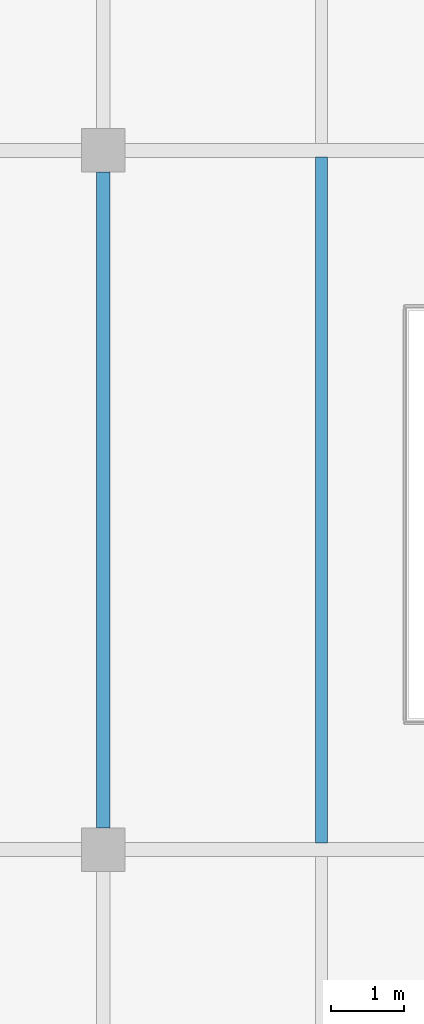
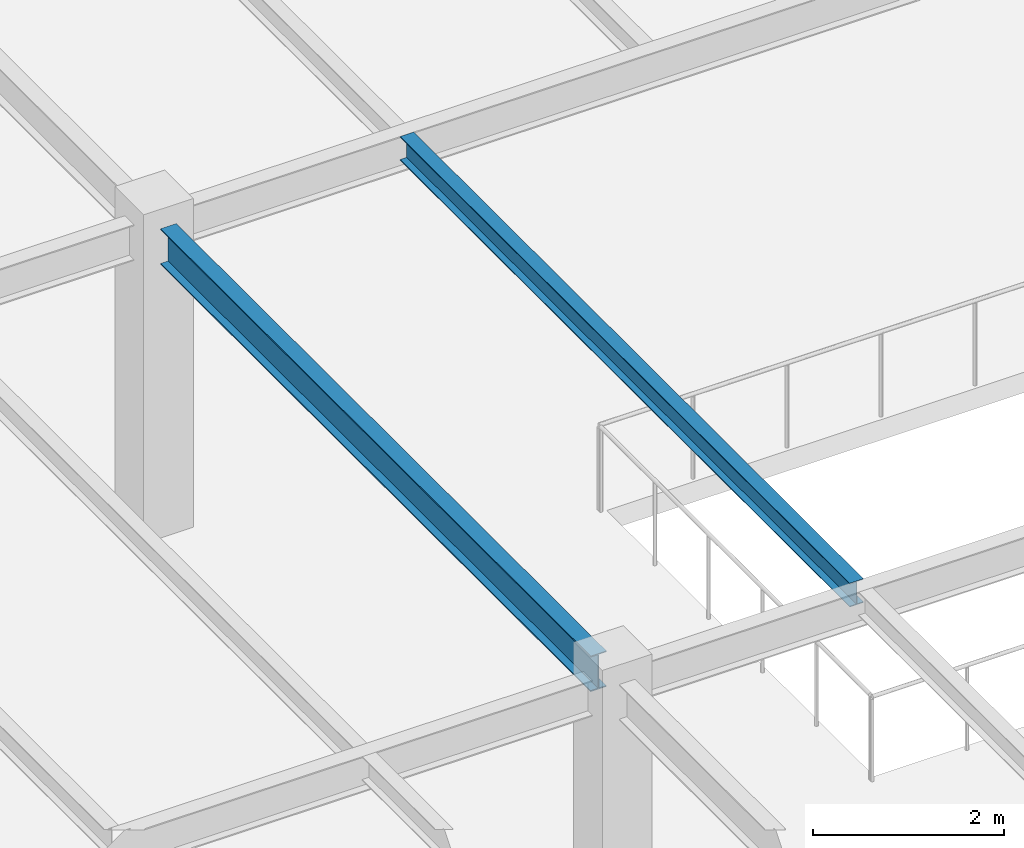
# One storey, part 35 of 83: 2 beams.
"""IFC4 building model written with IfcOpenShell, lengths in metres."""

from ifc_helpers import new_model, si_unit, direction, frame, origin, origin_2d, place, context, subcontext, project, spatial, i_section, extrude, material, material_profile, profile_set, type_object, element, save


model = new_model("IFC4")

# Units and contexts
model_context = context("Model", 3, precision=1e-05, world=origin(), true_north=direction((0.0, 1.0)))
body_context = subcontext(model_context, "Body", "Model", "MODEL_VIEW")
ifc_project = project(units=[si_unit("LENGTHUNIT", "METRE"), si_unit("AREAUNIT", "SQUARE_METRE"), si_unit("VOLUMEUNIT", "CUBIC_METRE"), si_unit("PLANEANGLEUNIT", "RADIAN"), si_unit("MASSUNIT", "GRAM", prefix="KILO")], contexts=[model_context])

# Site, building, storey
site_placement = place(None, origin())
site = spatial("IfcSite", under=ifc_project, at=site_placement, CompositionType="ELEMENT")
building_placement = place(site_placement, origin())
building = spatial("IfcBuilding", under=site, at=building_placement, Name="Pandanus Reach Market Hall", CompositionType="ELEMENT")
storey_placement = place(building_placement, frame((0.0, 0.0, 10.199951171875)))
storey = spatial("IfcBuildingStorey", under=building, at=storey_placement, Name="L02", CompositionType="ELEMENT", Elevation=10.199951171875)

# Beams
ifc_material = material(Name="Steel Grade 350 (350 MPa)", Category="steel")
ifc_material_profile_1 = material_profile(ifc_material, i_section(OverallWidth=0.18994140625, OverallDepth=0.45703125, WebThickness=0.009033203125, FlangeThickness=0.014404296875, at=origin_2d()), Name="460UB74.6", Category="LoadBearing")
ifc_profile_set_1 = profile_set([ifc_material_profile_1], Name="Steel Grade 350 (350 MPa)")
beam_type_1 = type_object("IfcBeamType", Name="BM-UB460-I", PredefinedType="BEAM", material=ifc_profile_set_1)
beam_1_placement = place(storey_placement, frame((156.0, 38.697998046875, 3.72119140625), z_axis=(0.0, 1.0, 0.0), x_axis=(-1.0, 0.0, 0.0)))
element("IfcBeam", 1, at=beam_1_placement, inside=storey, type_object=beam_type_1, Name="Framing beam BM-UB460-I L02.470", PredefinedType="BEAM", context=body_context, shape_type="SweptSolid", body=[
    extrude(i_section(OverallWidth=0.18994140625, OverallDepth=0.45703125, WebThickness=0.009033203125, FlangeThickness=0.014404296875, at=origin_2d()), origin(), (0.0, 0.0, 1.0), 9.00390625),
])
ifc_material_profile_2 = material_profile(ifc_material, i_section(OverallWidth=0.1650390625, OverallDepth=0.303955078125, WebThickness=0.006103515625, FlangeThickness=0.01025390625, at=origin_2d()), Name="310UB40.4", Category="LoadBearing")
ifc_profile_set_2 = profile_set([ifc_material_profile_2], Name="Steel Grade 350 (350 MPa)")
beam_type_2 = type_object("IfcBeamType", Name="JS-UB310-I", PredefinedType="JOIST", material=ifc_profile_set_2)
beam_2_placement = place(storey_placement, frame((159.0, 38.492919921875, 3.797607421875), z_axis=(0.0, 1.0, 0.0), x_axis=(-1.0, 0.0, 0.0)))
element("IfcBeam", 2, at=beam_2_placement, inside=storey, type_object=beam_type_2, Name="Secondary joist JS-UB310-I L02.510", PredefinedType="JOIST", context=body_context, shape_type="SweptSolid", body=[
    extrude(i_section(OverallWidth=0.1650390625, OverallDepth=0.303955078125, WebThickness=0.006103515625, FlangeThickness=0.01025390625, at=origin_2d()), origin(), (0.0, 0.0, 1.0), 9.4140625),
])

save(model, "model.ifc")
